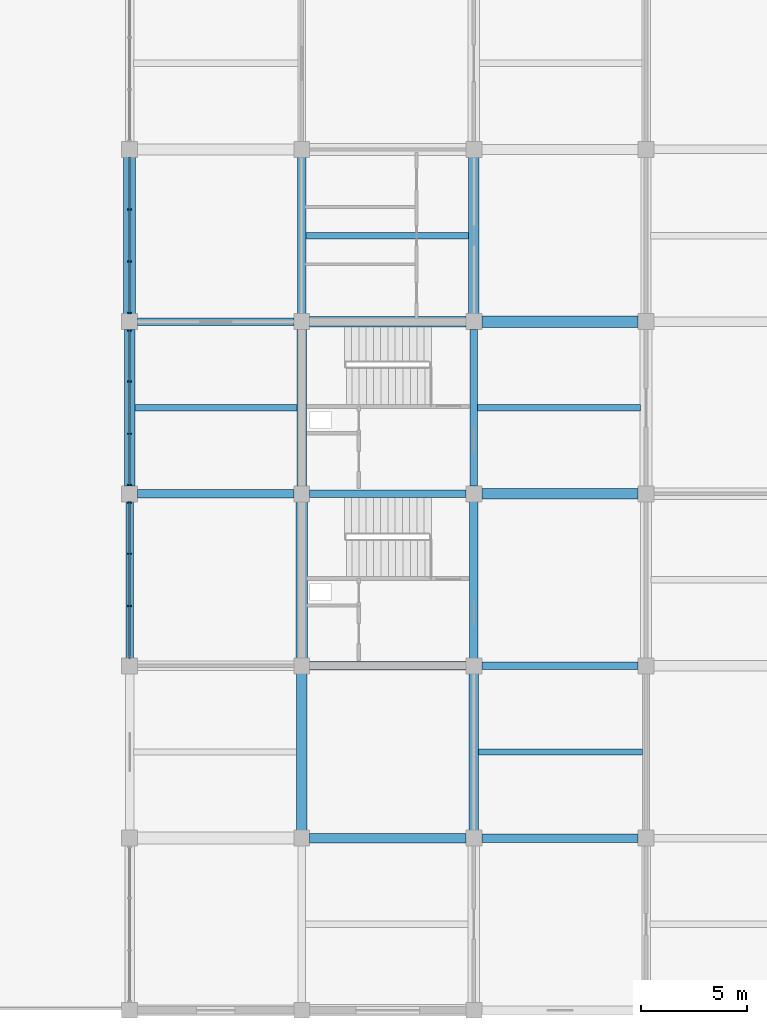
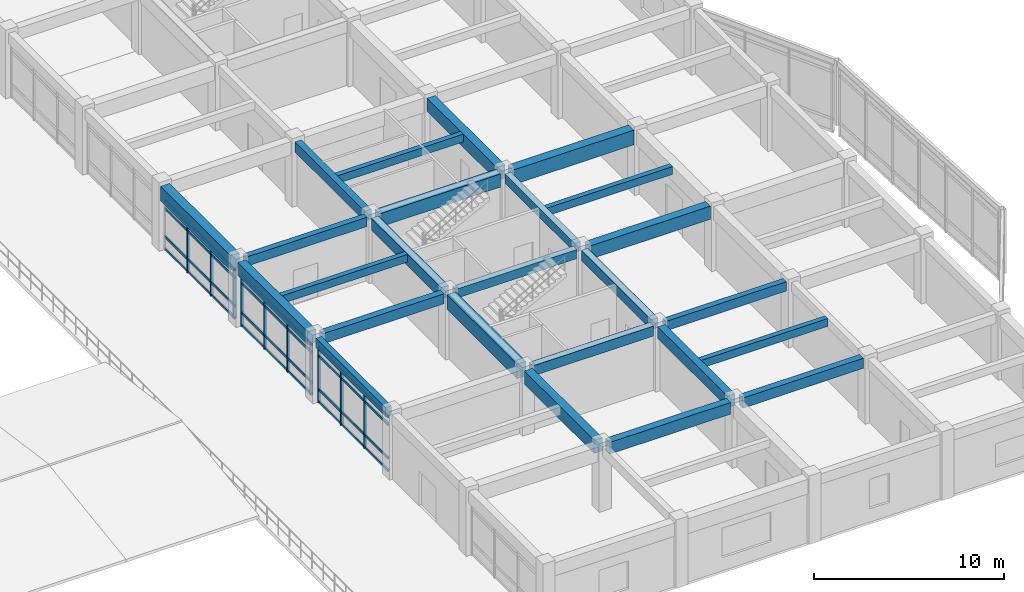
# One storey, part 27 of 70: 25 beams, 22 members, 3 elements without a shape of their own.
"""IFC4 building model written with IfcOpenShell, lengths in metres."""

import ifcopenshell
import ifcopenshell.guid

model = None  # the IFC model being written
_history = None  # IfcOwnerHistory: only IFC2X3 demands one
_inside = {}  # id of a spatial element -> (the spatial element, [elements in it])
_under = {}  # id of a project, library or spatial element -> (it, [spatial elements below it])
_declared = {}  # id of a project -> (the project, [libraries it declares])
_typed = {}  # id of a type object -> (the type object, [elements of that type])
_made_of = {}  # id of a material, layer set ... -> (it, [elements and type objects made of it])


def new_model(schema):
    """Start an empty IFC model of exactly this schema.

    Asked for "IFC4X3", IfcOpenShell would pick the latest addendum, in which some entities
    have other attributes; the version numbers below select the first issue.
    IFC2X3 requires an IfcOwnerHistory on every rooted entity: one is made here for all.
    """
    global model, _history
    if schema == "IFC4X3":
        model = ifcopenshell.file(schema_version=(4, 3, 0, 0))
    else:
        model = ifcopenshell.file(schema=schema)
    _inside.clear()
    _under.clear()
    _declared.clear()
    _typed.clear()
    _made_of.clear()
    _history = None
    if model.schema == "IFC2X3":
        org = make("IfcOrganization", Name="unknown")
        user = make(
            "IfcPersonAndOrganization",
            ThePerson=make("IfcPerson", FamilyName="unknown"),
            TheOrganization=org,
        )
        app = make(
            "IfcApplication",
            ApplicationDeveloper=org,
            Version="unknown",
            ApplicationFullName="unknown",
            ApplicationIdentifier="unknown",
        )
        _history = make(
            "IfcOwnerHistory",
            OwningUser=user,
            OwningApplication=app,
            ChangeAction="ADDED",
            CreationDate=0,
        )
    return model


def make(cls, **values):
    """One entity of the class cls with the attributes given. An attribute that is None is left unset."""
    return model.create_entity(
        cls, **{name: value for name, value in values.items() if value is not None}
    )


def rooted(cls, **values):
    """An entity with a GlobalId (a new one), such as an element, a storey or a relation."""
    return make(cls, GlobalId=ifcopenshell.guid.new(), OwnerHistory=_history, **values)


def si_unit(unit_type, name, prefix=None):
    """IfcSIUnit, for example si_unit("LENGTHUNIT", "METRE", prefix="MILLI")."""
    return make("IfcSIUnit", UnitType=unit_type, Prefix=prefix, Name=name)


def assignment(units):
    """IfcUnitAssignment: the units of a project."""
    return None if units is None else make("IfcUnitAssignment", Units=units)


def point(xyz):
    """IfcCartesianPoint."""
    return None if xyz is None else make("IfcCartesianPoint", Coordinates=xyz)


def direction(xyz):
    """IfcDirection."""
    return None if xyz is None else make("IfcDirection", DirectionRatios=xyz)


def frame(location, z_axis=None, x_axis=None):
    """IfcAxis2Placement3D, a coordinate frame: its origin and axes. An axis left out is left unset."""
    return make(
        "IfcAxis2Placement3D",
        Location=point(location),
        Axis=direction(z_axis),
        RefDirection=direction(x_axis),
    )


def frame_2d(location, x_axis=None):
    """IfcAxis2Placement2D, a coordinate frame in the plane: its origin and x axis."""
    return make(
        "IfcAxis2Placement2D", Location=point(location), RefDirection=direction(x_axis)
    )


def origin():
    """The frame at (0, 0, 0) with its axes left unset."""
    return frame((0.0, 0.0, 0.0))


def origin_2d():
    """The frame at (0, 0) in the plane with its x axis left unset."""
    return frame_2d((0.0, 0.0))


def place(relative_to, where):
    """IfcLocalPlacement: puts the frame where relative to a parent placement (None: the world)."""
    return make(
        "IfcLocalPlacement", PlacementRelTo=relative_to, RelativePlacement=where
    )


def context(
    kind, dimensions, precision=None, world=None, true_north=None, identifier=None
):
    """IfcGeometricRepresentationContext, for example the 3D "Model" context."""
    return make(
        "IfcGeometricRepresentationContext",
        ContextIdentifier=identifier,
        ContextType=kind,
        CoordinateSpaceDimension=dimensions,
        Precision=precision,
        WorldCoordinateSystem=world,
        TrueNorth=true_north,
    )


def subcontext(parent, identifier, kind, view, scale=None):
    """IfcGeometricRepresentationSubContext, for example "Body" below "Model"."""
    return make(
        "IfcGeometricRepresentationSubContext",
        ContextIdentifier=identifier,
        ContextType=kind,
        ParentContext=parent,
        TargetScale=scale,
        TargetView=view,
    )


def project(units=None, contexts=None):
    """IfcProject with its units and contexts."""
    return rooted(
        "IfcProject",
        Name="project",
        RepresentationContexts=contexts,
        UnitsInContext=assignment(units),
    )


def spatial(cls, under=None, at=None, **own):
    """A site, building, storey or space (cls), placed at a placement, below another one or the project."""
    s = rooted(cls, ObjectPlacement=at, **own)
    if under is not None:
        _under.setdefault(under.id(), (under, []))[1].append(s)
    return s


def profile(cls, at=None, kind="AREA", **sizes):
    """A parametric profile (cls). Its sizes go by their IFC names, for example OverallWidth=200.0."""
    return make(cls, ProfileType=kind, Position=at, **sizes)


def rectangle(**sizes):
    """IfcRectangleProfileDef."""
    return profile("IfcRectangleProfileDef", **sizes)


def extrude(swept, where, along, depth):
    """IfcExtrudedAreaSolid: the profile swept, set in the frame where, extruded along a direction by depth."""
    return make(
        "IfcExtrudedAreaSolid",
        SweptArea=swept,
        Position=where,
        ExtrudedDirection=direction(along),
        Depth=depth,
    )


def shape(context_of_items, identifier, shape_type, items):
    """IfcShapeRepresentation: the items that make up one representation, for example the "Body"."""
    return make(
        "IfcShapeRepresentation",
        ContextOfItems=context_of_items,
        RepresentationIdentifier=identifier,
        RepresentationType=shape_type,
        Items=items,
    )


def material(Name=None, Category=None):
    """IfcMaterial."""
    return make("IfcMaterial", Name=Name, Category=Category)


def layer(
    of_material, thickness, ventilated=None, Name=None, Category=None, Priority=None
):
    """IfcMaterialLayer: one layer of a wall or slab, of a material (None: an air gap)."""
    return make(
        "IfcMaterialLayer",
        Material=of_material,
        LayerThickness=thickness,
        IsVentilated=ventilated,
        Name=Name,
        Category=Category,
        Priority=Priority,
    )


def layer_set(layers, Name=None):
    """IfcMaterialLayerSet."""
    return make("IfcMaterialLayerSet", MaterialLayers=layers, LayerSetName=Name)


def material_profile(
    of_material, cross_section, Name=None, Category=None, Priority=None
):
    """IfcMaterialProfile: a cross section and its material."""
    return make(
        "IfcMaterialProfile",
        Name=Name,
        Material=of_material,
        Profile=cross_section,
        Priority=Priority,
        Category=Category,
    )


def profile_set(profiles, Name=None, composite=None):
    """IfcMaterialProfileSet."""
    return make(
        "IfcMaterialProfileSet",
        Name=Name,
        MaterialProfiles=profiles,
        CompositeProfile=composite,
    )


def made_of(thing, what):
    """Note that an element or type object is made of a material, layer set ...; save() writes the relation."""
    if what is not None:
        _made_of.setdefault(what.id(), (what, []))[1].append(thing)
    return thing


def type_object(cls, material=None, **own):
    """A type object (cls), such as IfcWallType, which elements share."""
    return made_of(rooted(cls, **own), material)


def element(
    cls,
    number,
    at=None,
    inside=None,
    cuts=None,
    type_object=None,
    material=None,
    context=None,
    identifier="Body",
    shape_type=None,
    held_by="IfcProductDefinitionShape",
    body=None,
    shapes=None,
    **own,
):
    """One element of the class cls, such as IfcWall. Its Tag is "e" and its number.

    at: its placement. inside: the storey or other place that contains it. cuts: it is an
    opening in that element (IfcRelVoidsElement). A single representation is given by context,
    identifier, shape_type and body (its items); several are given by shapes. held_by: the class
    of the entity that holds the representations. save() writes the other relations.
    """
    e = rooted(cls, Tag="e%d" % number, ObjectPlacement=at, **own)
    if body is not None:
        shapes = [shape(context, identifier, shape_type, body)]
    if shapes is not None:
        e.Representation = make(held_by, Representations=shapes)
    if inside is not None:
        _inside.setdefault(inside.id(), (inside, []))[1].append(e)
    if cuts is not None:
        rooted(
            "IfcRelVoidsElement", RelatingBuildingElement=cuts, RelatedOpeningElement=e
        )
    if type_object is not None:
        _typed.setdefault(type_object.id(), (type_object, []))[1].append(e)
    return made_of(e, material)


def aggregate(whole, parts):
    """IfcRelAggregates: a whole, such as a stair, and the parts it consists of."""
    return rooted("IfcRelAggregates", RelatingObject=whole, RelatedObjects=parts)


def save(model, path):
    """Write the relations noted so far, then the file.

    IfcRelAggregates (storeys below a building ...), IfcRelContainedInSpatialStructure (elements
    in a storey), IfcRelDefinesByType, IfcRelAssociatesMaterial and IfcRelDeclares: one each for
    every whole, place, type object, material and project.
    """
    for whole, parts in _under.values():
        aggregate(whole, parts)
    for where, things in _inside.values():
        rooted(
            "IfcRelContainedInSpatialStructure",
            RelatedElements=things,
            RelatingStructure=where,
        )
    for kind, things in _typed.values():
        rooted("IfcRelDefinesByType", RelatedObjects=things, RelatingType=kind)
    for what, things in _made_of.values():
        rooted("IfcRelAssociatesMaterial", RelatedObjects=things, RelatingMaterial=what)
    for by, libraries in _declared.values():
        rooted("IfcRelDeclares", RelatingContext=by, RelatedDefinitions=libraries)
    model.write(path)


model = new_model("IFC4")

# Units and contexts
model_context = context("Model", 3, precision=1e-05, world=origin(), true_north=direction((0.0, 1.0)))
body_context = subcontext(model_context, "Body", "Model", "MODEL_VIEW")
ifc_project = project(units=[si_unit("LENGTHUNIT", "METRE"), si_unit("AREAUNIT", "SQUARE_METRE"), si_unit("VOLUMEUNIT", "CUBIC_METRE"), si_unit("PLANEANGLEUNIT", "RADIAN"), si_unit("MASSUNIT", "GRAM", prefix="KILO")], contexts=[model_context])

# Site, building, storey
site_placement = place(None, origin())
site = spatial("IfcSite", under=ifc_project, at=site_placement, CompositionType="ELEMENT")
building_placement = place(site_placement, origin())
building = spatial("IfcBuilding", under=site, at=building_placement, Name="Vaudrelin Polytechnic", CompositionType="ELEMENT")
storey_placement = place(building_placement, frame((0.0, 0.0, 14.110107421875)))
storey = spatial("IfcBuildingStorey", under=building, at=storey_placement, Name="L03", CompositionType="ELEMENT", Elevation=14.110107421875)

# Beams
ifc_material_1 = material(Name="Concrete 40 MPa", Category="concrete")
ifc_material_profile_1 = material_profile(ifc_material_1, rectangle(XDim=0.35009765625, YDim=0.60009765625, at=origin_2d()), Name="RC350x600")
ifc_profile_set_1 = profile_set([ifc_material_profile_1], Name="Concrete 40 MPa")
beam_type_1 = type_object("IfcBeamType", Name="BM-BM-RC3560", PredefinedType="BEAM", material=ifc_profile_set_1)
for number, where, z_axis, x_axis, name in (
    (1, (137.699951171875, 32.760009765625, 3.85986328125), (0.0, 1.0, 0.0), (-1.0, 0.0, 0.0), "L03 Y-beam 18-5"),
    (2, (153.89990234375, 40.860107421875, 3.85986328125), (0.0, 1.0, 0.0), (-1.0, 0.0, 0.0), "L03 Y-beam 20-6"),
):
    element("IfcBeam", number, at=place(storey_placement, frame(where, z_axis=z_axis, x_axis=x_axis)), inside=storey, type_object=beam_type_1, Name=name, PredefinedType="BEAM", context=body_context, shape_type="SweptSolid", body=[
        extrude(rectangle(XDim=0.35009765625, YDim=0.60009765625, at=origin_2d()), origin(), (0.0, 0.0, 1.0), 7.3798828125),
    ])
beam_1_placement = place(storey_placement, frame((138.071044921875, 48.60009765625, 3.85986328125), z_axis=(1.0, 0.0, 0.0), x_axis=(0.0, 1.0, 0.0)))
element("IfcBeam", 3, at=beam_1_placement, inside=storey, type_object=beam_type_1, Name="L03 X-beam 18-7", PredefinedType="BEAM", context=body_context, shape_type="SweptSolid", body=[
    extrude(rectangle(XDim=0.35009765625, YDim=0.60009765625, at=origin_2d()), origin(), (0.0, 0.0, 1.0), 7.35791015625),
])
beam_2_placement = place(storey_placement, frame((146.1708984375, 40.5, 3.85986328125), z_axis=(1.0, 0.0, 0.0), x_axis=(0.0, 1.0, 0.0)))
element("IfcBeam", 4, at=beam_2_placement, inside=storey, type_object=beam_type_1, Name="L03 X-beam 19-6", PredefinedType="BEAM", context=body_context, shape_type="SweptSolid", body=[
    extrude(rectangle(XDim=0.35009765625, YDim=0.60009765625, at=origin_2d()), origin(), (0.0, 0.0, 1.0), 7.358154296875),
])
beam_3_placement = place(storey_placement, frame((154.27099609375, 32.39990234375, 3.85986328125), z_axis=(1.0, 0.0, 0.0), x_axis=(0.0, 1.0, 0.0)))
element("IfcBeam", 5, at=beam_3_placement, inside=storey, type_object=beam_type_1, Name="L03 X-beam 20-5", PredefinedType="BEAM", context=body_context, shape_type="SweptSolid", body=[
    extrude(rectangle(XDim=0.35009765625, YDim=0.60009765625, at=origin_2d()), origin(), (0.0, 0.0, 1.0), 7.35791015625),
])
ifc_material_profile_2 = material_profile(ifc_material_1, rectangle(XDim=0.39990234375, YDim=0.64990234375, at=origin_2d()), Name="RC400x650")
ifc_profile_set_2 = profile_set([ifc_material_profile_2], Name="Concrete 40 MPa")
beam_type_2 = type_object("IfcBeamType", Name="BM-BM-RC4065", PredefinedType="BEAM", material=ifc_profile_set_2)
beam_4_placement = place(storey_placement, frame((145.800048828125, 48.9599609375, 3.8349609375), z_axis=(0.0, 1.0, 0.0), x_axis=(-1.0, 0.0, 0.0)))
element("IfcBeam", 6, at=beam_4_placement, inside=storey, type_object=beam_type_2, Name="L03 Y-beam 19-7", PredefinedType="BEAM", context=body_context, shape_type="SweptSolid", body=[
    extrude(rectangle(XDim=0.39990234375, YDim=0.64990234375, at=origin_2d()), origin(), (0.0, 0.0, 1.0), 7.380126953125),
])
beam_5_placement = place(storey_placement, frame((153.89990234375, 32.760009765625, 3.8349609375), z_axis=(0.0, 1.0, 0.0), x_axis=(-1.0, 0.0, 0.0)))
element("IfcBeam", 7, at=beam_5_placement, inside=storey, type_object=beam_type_2, Name="L03 Y-beam 20-5", PredefinedType="BEAM", context=body_context, shape_type="SweptSolid", body=[
    extrude(rectangle(XDim=0.39990234375, YDim=0.64990234375, at=origin_2d()), origin(), (0.0, 0.0, 1.0), 7.3798828125),
])
beam_6_placement = place(storey_placement, frame((138.071044921875, 40.5, 3.8349609375), z_axis=(1.0, 0.0, 0.0), x_axis=(0.0, 1.0, 0.0)))
element("IfcBeam", 8, at=beam_6_placement, inside=storey, type_object=beam_type_2, Name="L03 X-beam 18-6", PredefinedType="BEAM", context=body_context, shape_type="SweptSolid", body=[
    extrude(rectangle(XDim=0.39990234375, YDim=0.64990234375, at=origin_2d()), origin(), (0.0, 0.0, 1.0), 7.35791015625),
])
beam_7_placement = place(storey_placement, frame((146.1708984375, 32.39990234375, 3.8349609375), z_axis=(1.0, 0.0, 0.0), x_axis=(0.0, 1.0, 0.0)))
element("IfcBeam", 9, at=beam_7_placement, inside=storey, type_object=beam_type_2, Name="L03 X-beam 19-5", PredefinedType="BEAM", context=body_context, shape_type="SweptSolid", body=[
    extrude(rectangle(XDim=0.39990234375, YDim=0.64990234375, at=origin_2d()), origin(), (0.0, 0.0, 1.0), 7.358154296875),
])
beam_8_placement = place(storey_placement, frame((154.27099609375, 24.300048828125, 3.8349609375), z_axis=(1.0, 0.0, 0.0), x_axis=(0.0, 1.0, 0.0)))
element("IfcBeam", 10, at=beam_8_placement, inside=storey, type_object=beam_type_2, Name="L03 X-beam 20-4", PredefinedType="BEAM", context=body_context, shape_type="SweptSolid", body=[
    extrude(rectangle(XDim=0.39990234375, YDim=0.64990234375, at=origin_2d()), origin(), (0.0, 0.0, 1.0), 7.35791015625),
])
ifc_material_profile_3 = material_profile(ifc_material_1, rectangle(XDim=0.449951171875, YDim=0.75, at=origin_2d()), Name="RC450x750")
ifc_profile_set_3 = profile_set([ifc_material_profile_3], Name="Concrete 40 MPa")
beam_type_3 = type_object("IfcBeamType", Name="BM-BM-RC4575", PredefinedType="BEAM", material=ifc_profile_set_3)
beam_9_placement = place(storey_placement, frame((145.800048828125, 40.860107421875, 3.784912109375), z_axis=(0.0, 1.0, 0.0), x_axis=(-1.0, 0.0, 0.0)))
element("IfcBeam", 11, at=beam_9_placement, inside=storey, type_object=beam_type_3, Name="L03 Y-beam 19-6", PredefinedType="BEAM", context=body_context, shape_type="SweptSolid", body=[
    extrude(rectangle(XDim=0.449951171875, YDim=0.75, at=origin_2d()), origin(), (0.0, 0.0, 1.0), 7.3798828125),
])
beam_10_placement = place(storey_placement, frame((153.89990234375, 24.659912109375, 3.784912109375), z_axis=(0.0, 1.0, 0.0), x_axis=(-1.0, 0.0, 0.0)))
element("IfcBeam", 12, at=beam_10_placement, inside=storey, type_object=beam_type_3, Name="L03 Y-beam 20-4", PredefinedType="BEAM", context=body_context, shape_type="SweptSolid", body=[
    extrude(rectangle(XDim=0.449951171875, YDim=0.75, at=origin_2d()), origin(), (0.0, 0.0, 1.0), 7.380126953125),
])
beam_11_placement = place(storey_placement, frame((146.1708984375, 24.300048828125, 3.784912109375), z_axis=(1.0, 0.0, 0.0), x_axis=(0.0, 1.0, 0.0)))
element("IfcBeam", 13, at=beam_11_placement, inside=storey, type_object=beam_type_3, Name="L03 X-beam 19-4", PredefinedType="BEAM", context=body_context, shape_type="SweptSolid", body=[
    extrude(rectangle(XDim=0.449951171875, YDim=0.75, at=origin_2d()), origin(), (0.0, 0.0, 1.0), 7.358154296875),
])
ifc_material_profile_4 = material_profile(ifc_material_1, rectangle(XDim=0.5, YDim=0.85009765625, at=origin_2d()), Name="RC500x850")
ifc_profile_set_4 = profile_set([ifc_material_profile_4], Name="Concrete 40 MPa")
beam_type_4 = type_object("IfcBeamType", Name="BM-BM-RC5085", PredefinedType="BEAM", material=ifc_profile_set_4)
beam_12_placement = place(storey_placement, frame((137.699951171875, 40.860107421875, 3.73486328125), z_axis=(0.0, 1.0, 0.0), x_axis=(-1.0, 0.0, 0.0)))
element("IfcBeam", 14, at=beam_12_placement, inside=storey, type_object=beam_type_4, Name="L03 Y-beam 18-6", PredefinedType="BEAM", context=body_context, shape_type="SweptSolid", body=[
    extrude(rectangle(XDim=0.5, YDim=0.85009765625, at=origin_2d()), origin(), (0.0, 0.0, 1.0), 7.3798828125),
])
for number, where, z_axis, x_axis, name in (
    (15, (145.800048828125, 24.659912109375, 3.73486328125), (0.0, 1.0, 0.0), (-1.0, 0.0, 0.0), "L03 Y-beam 19-4"),
    (16, (153.89990234375, 48.9599609375, 3.73486328125), (0.0, 1.0, 0.0), (-1.0, 0.0, 0.0), "L03 Y-beam 20-7"),
):
    element("IfcBeam", number, at=place(storey_placement, frame(where, z_axis=z_axis, x_axis=x_axis)), inside=storey, type_object=beam_type_4, Name=name, PredefinedType="BEAM", context=body_context, shape_type="SweptSolid", body=[
        extrude(rectangle(XDim=0.5, YDim=0.85009765625, at=origin_2d()), origin(), (0.0, 0.0, 1.0), 7.380126953125),
    ])
beam_13_placement = place(storey_placement, frame((146.1708984375, 48.60009765625, 3.73486328125), z_axis=(1.0, 0.0, 0.0), x_axis=(0.0, 1.0, 0.0)))
element("IfcBeam", 17, at=beam_13_placement, inside=storey, type_object=beam_type_4, Name="L03 X-beam 19-7", PredefinedType="BEAM", context=body_context, shape_type="SweptSolid", body=[
    extrude(rectangle(XDim=0.5, YDim=0.85009765625, at=origin_2d()), origin(), (0.0, 0.0, 1.0), 7.358154296875),
])
beam_14_placement = place(storey_placement, frame((154.27099609375, 40.5, 3.73486328125), z_axis=(1.0, 0.0, 0.0), x_axis=(0.0, 1.0, 0.0)))
element("IfcBeam", 18, at=beam_14_placement, inside=storey, type_object=beam_type_4, Name="L03 X-beam 20-6", PredefinedType="BEAM", context=body_context, shape_type="SweptSolid", body=[
    extrude(rectangle(XDim=0.5, YDim=0.85009765625, at=origin_2d()), origin(), (0.0, 0.0, 1.0), 7.35791015625),
])
ifc_material_2 = material(Name="Concrete 50 MPa", Category="concrete")
ifc_material_profile_5 = material_profile(ifc_material_2, rectangle(XDim=0.550048828125, YDim=0.949951171875, at=origin_2d()), Name="RC550x950")
ifc_profile_set_5 = profile_set([ifc_material_profile_5], Name="Concrete 50 MPa")
beam_type_5 = type_object("IfcBeamType", Name="BM-BM-RC5595", PredefinedType="BEAM", material=ifc_profile_set_5)
beam_15_placement = place(storey_placement, frame((137.699951171875, 48.9599609375, 3.684814453125), z_axis=(0.0, 1.0, 0.0), x_axis=(-1.0, 0.0, 0.0)))
element("IfcBeam", 19, at=beam_15_placement, inside=storey, type_object=beam_type_5, Name="L03 Y-beam 18-7", PredefinedType="BEAM", context=body_context, shape_type="SweptSolid", body=[
    extrude(rectangle(XDim=0.550048828125, YDim=0.949951171875, at=origin_2d()), origin(), (0.0, 0.0, 1.0), 7.380126953125),
])
beam_16_placement = place(storey_placement, frame((145.800048828125, 32.760009765625, 3.684814453125), z_axis=(0.0, 1.0, 0.0), x_axis=(-1.0, 0.0, 0.0)))
element("IfcBeam", 20, at=beam_16_placement, inside=storey, type_object=beam_type_5, Name="L03 Y-beam 19-5", PredefinedType="BEAM", context=body_context, shape_type="SweptSolid", body=[
    extrude(rectangle(XDim=0.550048828125, YDim=0.949951171875, at=origin_2d()), origin(), (0.0, 0.0, 1.0), 7.3798828125),
])
beam_17_placement = place(storey_placement, frame((154.27099609375, 48.60009765625, 3.684814453125), z_axis=(1.0, 0.0, 0.0), x_axis=(0.0, 1.0, 0.0)))
element("IfcBeam", 21, at=beam_17_placement, inside=storey, type_object=beam_type_5, Name="L03 X-beam 20-7", PredefinedType="BEAM", context=body_context, shape_type="SweptSolid", body=[
    extrude(rectangle(XDim=0.550048828125, YDim=0.949951171875, at=origin_2d()), origin(), (0.0, 0.0, 1.0), 7.35791015625),
])
ifc_material_profile_6 = material_profile(ifc_material_1, rectangle(XDim=0.300048828125, YDim=0.5, at=origin_2d()), Name="RC300x500")
ifc_profile_set_6 = profile_set([ifc_material_profile_6], Name="Concrete 40 MPa")
beam_type_6 = type_object("IfcBeamType", Name="BM-JS-RC3050", PredefinedType="JOIST", material=ifc_profile_set_6)
beam_18_placement = place(storey_placement, frame((137.946044921875, 44.550048828125, 3.909912109375), z_axis=(1.0, 0.0, 0.0), x_axis=(0.0, 1.0, 0.0)))
element("IfcBeam", 22, at=beam_18_placement, inside=storey, type_object=beam_type_6, Name="L03 floor joist 18-6", PredefinedType="JOIST", context=body_context, shape_type="SweptSolid", body=[
    extrude(rectangle(XDim=0.300048828125, YDim=0.5, at=origin_2d()), origin(), (0.0, 0.0, 1.0), 7.633056640625),
])
beam_19_placement = place(storey_placement, frame((145.99609375, 52.64990234375, 3.909912109375), z_axis=(1.0, 0.0, 0.0), x_axis=(0.0, 1.0, 0.0)))
element("IfcBeam", 23, at=beam_19_placement, inside=storey, type_object=beam_type_6, Name="L03 floor joist 19-7", PredefinedType="JOIST", context=body_context, shape_type="SweptSolid", body=[
    extrude(rectangle(XDim=0.300048828125, YDim=0.5, at=origin_2d()), origin(), (0.0, 0.0, 1.0), 7.657958984375),
])
beam_20_placement = place(storey_placement, frame((154.12109375, 28.35009765625, 3.909912109375), z_axis=(1.0, 0.0, 0.0), x_axis=(0.0, 1.0, 0.0)))
element("IfcBeam", 24, at=beam_20_placement, inside=storey, type_object=beam_type_6, Name="L03 floor joist 20-4", PredefinedType="JOIST", context=body_context, shape_type="SweptSolid", body=[
    extrude(rectangle(XDim=0.300048828125, YDim=0.5, at=origin_2d()), origin(), (0.0, 0.0, 1.0), 7.7080078125),
])
beam_21_placement = place(storey_placement, frame((154.071044921875, 44.550048828125, 3.909912109375), z_axis=(1.0, 0.0, 0.0), x_axis=(0.0, 1.0, 0.0)))
element("IfcBeam", 25, at=beam_21_placement, inside=storey, type_object=beam_type_6, Name="L03 floor joist 20-6", PredefinedType="JOIST", context=body_context, shape_type="SweptSolid", body=[
    extrude(rectangle(XDim=0.300048828125, YDim=0.5, at=origin_2d()), origin(), (0.0, 0.0, 1.0), 7.657958984375),
])

# Curtain wall, members
ifc_material_3 = material(Name="Thermally broken anodised aluminium AA 6063-T6 and low-e triple glazing", Category="aluminium")
ifc_layer = layer(ifc_material_3, 0.199951171875)
ifc_layer_set = layer_set([ifc_layer], Name="Thermally broken anodised aluminium AA 6063-T6 and low-e triple glazing")
curtain_wall_type = type_object("IfcCurtainWallType", Name="CW-CW-LAB", PredefinedType="USERDEFINED", material=ifc_layer_set)
curtain_wall_1_placement = place(storey_placement, origin())
curtain_wall_1 = element("IfcCurtainWall", 26, at=curtain_wall_1_placement, inside=storey, type_object=curtain_wall_type, Name="Curtain wall L03 W_V4_02", ObjectType="CURTAIN WALL", PredefinedType="USERDEFINED")
ifc_material_4 = material(Name="Anodised aluminium AA 6063-T6", Category="aluminium")
ifc_material_profile_7 = material_profile(ifc_material_4, rectangle(XDim=0.06494140625, YDim=0.179931640625, at=origin_2d()), Name="CWM-65x180")
ifc_profile_set_7 = profile_set([ifc_material_profile_7], Name="Anodised aluminium AA 6063-T6")
member_type_1 = type_object("IfcMemberType", Name="MEM-CWM-180", PredefinedType="MULLION", material=ifc_profile_set_7)
member_1_placement = place(storey_placement, frame((137.699951171875, 35.224365234375, 0.0), z_axis=(0.0, 0.0, 1.0), x_axis=(0.0, 1.0, 0.0)))
member_1 = element("IfcMember", 27, at=member_1_placement, type_object=member_type_1, Name="W_V4_02 mullion 2", PredefinedType="MULLION", context=body_context, shape_type="SweptSolid", body=[
    extrude(rectangle(XDim=0.06494140625, YDim=0.179931640625, at=origin_2d()), origin(), (0.0, 0.0, 1.0), 3.56201171875),
])
member_2_placement = place(storey_placement, frame((137.699951171875, 37.67578125, 0.0), z_axis=(0.0, 0.0, 1.0), x_axis=(0.0, 1.0, 0.0)))
member_2 = element("IfcMember", 28, at=member_2_placement, type_object=member_type_1, Name="W_V4_02 mullion 3", PredefinedType="MULLION", context=body_context, shape_type="SweptSolid", body=[
    extrude(rectangle(XDim=0.06494140625, YDim=0.179931640625, at=origin_2d()), origin(), (0.0, 0.0, 1.0), 3.56201171875),
])
member_3_placement = place(storey_placement, frame((137.699951171875, 40.0869140625, 0.0), z_axis=(0.0, 0.0, 1.0), x_axis=(0.0, 1.0, 0.0)))
member_3 = element("IfcMember", 29, at=member_3_placement, type_object=member_type_1, Name="W_V4_02 mullion 4", PredefinedType="MULLION", context=body_context, shape_type="SweptSolid", body=[
    extrude(rectangle(XDim=0.06494140625, YDim=0.179931640625, at=origin_2d()), origin(), (0.0, 0.0, 1.0), 3.56201171875),
])

curtain_wall_2_placement = place(storey_placement, origin())
curtain_wall_2 = element("IfcCurtainWall", 30, at=curtain_wall_2_placement, inside=storey, type_object=curtain_wall_type, Name="Curtain wall L03 W_V4_03", ObjectType="CURTAIN WALL", PredefinedType="USERDEFINED")
member_4_placement = place(storey_placement, frame((137.699951171875, 40.9130859375, 0.0), z_axis=(0.0, 0.0, 1.0), x_axis=(0.0, 1.0, 0.0)))
member_4 = element("IfcMember", 31, at=member_4_placement, type_object=member_type_1, Name="W_V4_03 mullion 1", PredefinedType="MULLION", context=body_context, shape_type="SweptSolid", body=[
    extrude(rectangle(XDim=0.06494140625, YDim=0.179931640625, at=origin_2d()), origin(), (0.0, 0.0, 1.0), 3.31201171875),
])
member_5_placement = place(storey_placement, frame((137.699951171875, 43.32421875, 0.0), z_axis=(0.0, 0.0, 1.0), x_axis=(0.0, 1.0, 0.0)))
member_5 = element("IfcMember", 32, at=member_5_placement, type_object=member_type_1, Name="W_V4_03 mullion 2", PredefinedType="MULLION", context=body_context, shape_type="SweptSolid", body=[
    extrude(rectangle(XDim=0.06494140625, YDim=0.179931640625, at=origin_2d()), origin(), (0.0, 0.0, 1.0), 3.31201171875),
])
member_6_placement = place(storey_placement, frame((137.699951171875, 45.775634765625, 0.0), z_axis=(0.0, 0.0, 1.0), x_axis=(0.0, 1.0, 0.0)))
member_6 = element("IfcMember", 33, at=member_6_placement, type_object=member_type_1, Name="W_V4_03 mullion 3", PredefinedType="MULLION", context=body_context, shape_type="SweptSolid", body=[
    extrude(rectangle(XDim=0.06494140625, YDim=0.179931640625, at=origin_2d()), origin(), (0.0, 0.0, 1.0), 3.31201171875),
])
member_7_placement = place(storey_placement, frame((137.699951171875, 48.18701171875, 0.0), z_axis=(0.0, 0.0, 1.0), x_axis=(0.0, 1.0, 0.0)))
member_7 = element("IfcMember", 34, at=member_7_placement, type_object=member_type_1, Name="W_V4_03 mullion 4", PredefinedType="MULLION", context=body_context, shape_type="SweptSolid", body=[
    extrude(rectangle(XDim=0.06494140625, YDim=0.179931640625, at=origin_2d()), origin(), (0.0, 0.0, 1.0), 3.31201171875),
])

curtain_wall_3_placement = place(storey_placement, origin())
curtain_wall_3 = element("IfcCurtainWall", 35, at=curtain_wall_3_placement, inside=storey, type_object=curtain_wall_type, Name="Curtain wall L03 W_V4_04", ObjectType="CURTAIN WALL", PredefinedType="USERDEFINED")
member_8_placement = place(storey_placement, frame((137.699951171875, 49.012939453125, 0.0), z_axis=(0.0, 0.0, 1.0), x_axis=(0.0, 1.0, 0.0)))
member_8 = element("IfcMember", 36, at=member_8_placement, type_object=member_type_1, Name="W_V4_04 mullion 1", PredefinedType="MULLION", context=body_context, shape_type="SweptSolid", body=[
    extrude(rectangle(XDim=0.06494140625, YDim=0.179931640625, at=origin_2d()), origin(), (0.0, 0.0, 1.0), 3.2119140625),
])
member_9_placement = place(storey_placement, frame((137.699951171875, 51.42431640625, 0.0), z_axis=(0.0, 0.0, 1.0), x_axis=(0.0, 1.0, 0.0)))
member_9 = element("IfcMember", 37, at=member_9_placement, type_object=member_type_1, Name="W_V4_04 mullion 2", PredefinedType="MULLION", context=body_context, shape_type="SweptSolid", body=[
    extrude(rectangle(XDim=0.06494140625, YDim=0.179931640625, at=origin_2d()), origin(), (0.0, 0.0, 1.0), 3.2119140625),
])
member_10_placement = place(storey_placement, frame((137.699951171875, 53.875732421875, 0.0), z_axis=(0.0, 0.0, 1.0), x_axis=(0.0, 1.0, 0.0)))
member_10 = element("IfcMember", 38, at=member_10_placement, type_object=member_type_1, Name="W_V4_04 mullion 3", PredefinedType="MULLION", context=body_context, shape_type="SweptSolid", body=[
    extrude(rectangle(XDim=0.06494140625, YDim=0.179931640625, at=origin_2d()), origin(), (0.0, 0.0, 1.0), 3.2119140625),
])

# Member
ifc_material_profile_8 = material_profile(ifc_material_4, rectangle(XDim=0.074951171875, YDim=0.1650390625, at=origin_2d()), Name="CWT-75x165")
ifc_profile_set_8 = profile_set([ifc_material_profile_8], Name="Anodised aluminium AA 6063-T6")
member_type_2 = type_object("IfcMemberType", Name="MEM-CWT-165", PredefinedType="USERDEFINED", material=ifc_profile_set_8)
member_11_placement = place(storey_placement, frame((137.699951171875, 32.77294921875, 0.0498046875), z_axis=(0.0, 1.0, 0.0), x_axis=(-1.0, 0.0, 0.0)))
member_11 = element("IfcMember", 39, at=member_11_placement, type_object=member_type_2, Name="W_V4_02 transom 1", ObjectType="TRANSOM", PredefinedType="USERDEFINED", context=body_context, shape_type="SweptSolid", body=[
    extrude(rectangle(XDim=0.074951171875, YDim=0.1650390625, at=origin_2d()), origin(), (0.0, 0.0, 1.0), 7.35400390625),
])

member_12_placement = place(storey_placement, frame((137.699951171875, 32.77294921875, 0.849853515625), z_axis=(0.0, 1.0, 0.0), x_axis=(-1.0, 0.0, 0.0)))
member_12 = element("IfcMember", 40, at=member_12_placement, type_object=member_type_2, Name="W_V4_02 transom 2", ObjectType="TRANSOM", PredefinedType="USERDEFINED", context=body_context, shape_type="SweptSolid", body=[
    extrude(rectangle(XDim=0.074951171875, YDim=0.1650390625, at=origin_2d()), origin(), (0.0, 0.0, 1.0), 7.35400390625),
])

member_13_placement = place(storey_placement, frame((137.699951171875, 32.77294921875, 3.011962890625), z_axis=(0.0, 1.0, 0.0), x_axis=(-1.0, 0.0, 0.0)))
member_13 = element("IfcMember", 41, at=member_13_placement, type_object=member_type_2, Name="W_V4_02 transom 3", ObjectType="TRANSOM", PredefinedType="USERDEFINED", context=body_context, shape_type="SweptSolid", body=[
    extrude(rectangle(XDim=0.074951171875, YDim=0.1650390625, at=origin_2d()), origin(), (0.0, 0.0, 1.0), 7.35400390625),
])

member_14_placement = place(storey_placement, frame((137.699951171875, 32.77294921875, 3.511962890625), z_axis=(0.0, 1.0, 0.0), x_axis=(-1.0, 0.0, 0.0)))
member_14 = element("IfcMember", 42, at=member_14_placement, type_object=member_type_2, Name="W_V4_02 transom 4", ObjectType="TRANSOM", PredefinedType="USERDEFINED", context=body_context, shape_type="SweptSolid", body=[
    extrude(rectangle(XDim=0.074951171875, YDim=0.1650390625, at=origin_2d()), origin(), (0.0, 0.0, 1.0), 7.35400390625),
])

aggregate(curtain_wall_1, [member_1, member_2, member_3, member_11, member_12, member_13, member_14])

member_15_placement = place(storey_placement, frame((137.699951171875, 40.873046875, 0.0498046875), z_axis=(0.0, 1.0, 0.0), x_axis=(-1.0, 0.0, 0.0)))
member_15 = element("IfcMember", 43, at=member_15_placement, type_object=member_type_2, Name="W_V4_03 transom 1", ObjectType="TRANSOM", PredefinedType="USERDEFINED", context=body_context, shape_type="SweptSolid", body=[
    extrude(rectangle(XDim=0.074951171875, YDim=0.1650390625, at=origin_2d()), origin(), (0.0, 0.0, 1.0), 7.35400390625),
])

member_16_placement = place(storey_placement, frame((137.699951171875, 40.873046875, 0.849853515625), z_axis=(0.0, 1.0, 0.0), x_axis=(-1.0, 0.0, 0.0)))
member_16 = element("IfcMember", 44, at=member_16_placement, type_object=member_type_2, Name="W_V4_03 transom 2", ObjectType="TRANSOM", PredefinedType="USERDEFINED", context=body_context, shape_type="SweptSolid", body=[
    extrude(rectangle(XDim=0.074951171875, YDim=0.1650390625, at=origin_2d()), origin(), (0.0, 0.0, 1.0), 7.35400390625),
])

member_17_placement = place(storey_placement, frame((137.699951171875, 40.873046875, 2.761962890625), z_axis=(0.0, 1.0, 0.0), x_axis=(-1.0, 0.0, 0.0)))
member_17 = element("IfcMember", 45, at=member_17_placement, type_object=member_type_2, Name="W_V4_03 transom 3", ObjectType="TRANSOM", PredefinedType="USERDEFINED", context=body_context, shape_type="SweptSolid", body=[
    extrude(rectangle(XDim=0.074951171875, YDim=0.1650390625, at=origin_2d()), origin(), (0.0, 0.0, 1.0), 7.35400390625),
])

member_18_placement = place(storey_placement, frame((137.699951171875, 40.873046875, 3.261962890625), z_axis=(0.0, 1.0, 0.0), x_axis=(-1.0, 0.0, 0.0)))
member_18 = element("IfcMember", 46, at=member_18_placement, type_object=member_type_2, Name="W_V4_03 transom 4", ObjectType="TRANSOM", PredefinedType="USERDEFINED", context=body_context, shape_type="SweptSolid", body=[
    extrude(rectangle(XDim=0.074951171875, YDim=0.1650390625, at=origin_2d()), origin(), (0.0, 0.0, 1.0), 7.35400390625),
])

aggregate(curtain_wall_2, [member_4, member_5, member_6, member_7, member_15, member_16, member_17, member_18])

member_19_placement = place(storey_placement, frame((137.699951171875, 48.972900390625, 0.0498046875), z_axis=(0.0, 1.0, 0.0), x_axis=(-1.0, 0.0, 0.0)))
member_19 = element("IfcMember", 47, at=member_19_placement, type_object=member_type_2, Name="W_V4_04 transom 1", ObjectType="TRANSOM", PredefinedType="USERDEFINED", context=body_context, shape_type="SweptSolid", body=[
    extrude(rectangle(XDim=0.074951171875, YDim=0.1650390625, at=origin_2d()), origin(), (0.0, 0.0, 1.0), 7.35400390625),
])

member_20_placement = place(storey_placement, frame((137.699951171875, 48.972900390625, 0.849853515625), z_axis=(0.0, 1.0, 0.0), x_axis=(-1.0, 0.0, 0.0)))
member_20 = element("IfcMember", 48, at=member_20_placement, type_object=member_type_2, Name="W_V4_04 transom 2", ObjectType="TRANSOM", PredefinedType="USERDEFINED", context=body_context, shape_type="SweptSolid", body=[
    extrude(rectangle(XDim=0.074951171875, YDim=0.1650390625, at=origin_2d()), origin(), (0.0, 0.0, 1.0), 7.35400390625),
])

member_21_placement = place(storey_placement, frame((137.699951171875, 48.972900390625, 2.661865234375), z_axis=(0.0, 1.0, 0.0), x_axis=(-1.0, 0.0, 0.0)))
member_21 = element("IfcMember", 49, at=member_21_placement, type_object=member_type_2, Name="W_V4_04 transom 3", ObjectType="TRANSOM", PredefinedType="USERDEFINED", context=body_context, shape_type="SweptSolid", body=[
    extrude(rectangle(XDim=0.074951171875, YDim=0.1650390625, at=origin_2d()), origin(), (0.0, 0.0, 1.0), 7.35400390625),
])

member_22_placement = place(storey_placement, frame((137.699951171875, 48.972900390625, 3.161865234375), z_axis=(0.0, 1.0, 0.0), x_axis=(-1.0, 0.0, 0.0)))
member_22 = element("IfcMember", 50, at=member_22_placement, type_object=member_type_2, Name="W_V4_04 transom 4", ObjectType="TRANSOM", PredefinedType="USERDEFINED", context=body_context, shape_type="SweptSolid", body=[
    extrude(rectangle(XDim=0.074951171875, YDim=0.1650390625, at=origin_2d()), origin(), (0.0, 0.0, 1.0), 7.35400390625),
])

aggregate(curtain_wall_3, [member_8, member_9, member_10, member_19, member_20, member_21, member_22])

save(model, "model.ifc")
